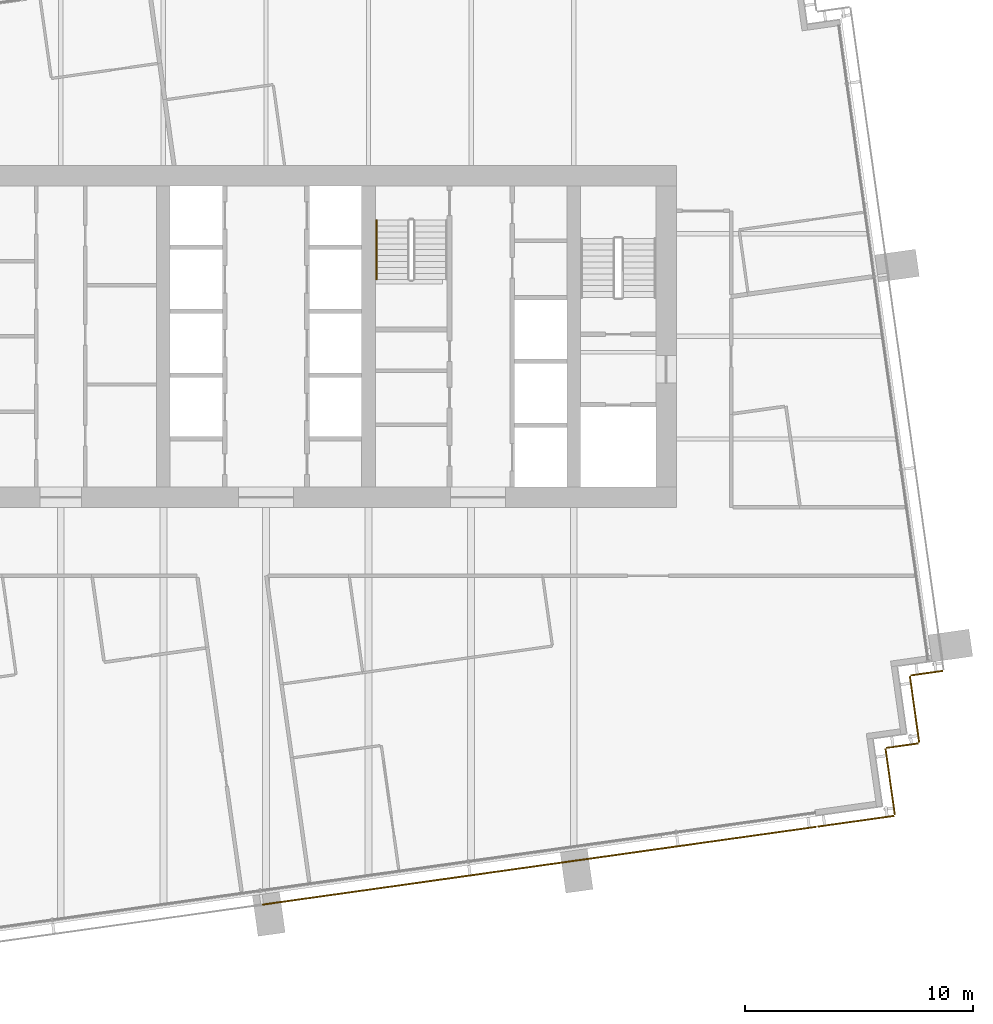
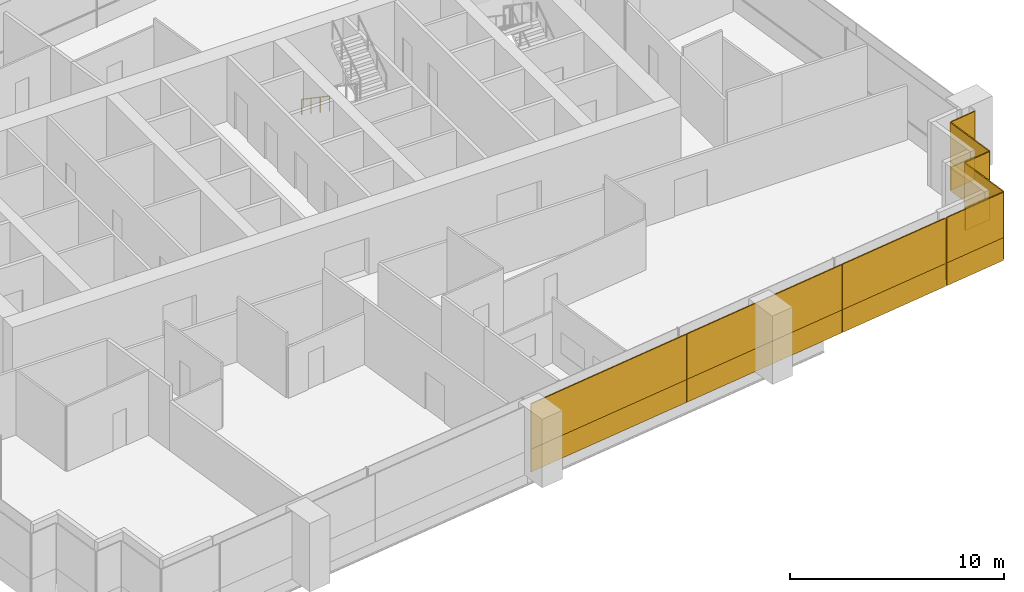
# One storey, part 15 of 18: 16 coverings, 1 railing.
"""IFC4 building model written with IfcOpenShell, lengths in metres."""

from ifc_helpers import new_model, si_unit, direction, frame, origin, origin_2d, place, context, subcontext, project, spatial, rectangle, extrude, material, layer, layer_set, type_object, element, save


model = new_model("IFC4")

# Units and contexts
model_context = context("Model", 3, precision=1e-05, world=origin(), true_north=direction((0.0, 1.0)))
body_context = subcontext(model_context, "Body", "Model", "MODEL_VIEW")
ifc_project = project(units=[si_unit("LENGTHUNIT", "METRE"), si_unit("AREAUNIT", "SQUARE_METRE"), si_unit("VOLUMEUNIT", "CUBIC_METRE"), si_unit("PLANEANGLEUNIT", "RADIAN"), si_unit("MASSUNIT", "GRAM", prefix="KILO")], contexts=[model_context])

# Site, building, storey
site_placement = place(None, origin())
site = spatial("IfcSite", under=ifc_project, at=site_placement, CompositionType="ELEMENT")
building_placement = place(site_placement, origin())
building = spatial("IfcBuilding", under=site, at=building_placement, Name="Rattan Terrace Tower", CompositionType="ELEMENT")
storey_placement = place(building_placement, frame((0.0, 0.0, 176.300048828125)))
storey = spatial("IfcBuildingStorey", under=building, at=storey_placement, Name="L40", CompositionType="ELEMENT", Elevation=176.300048828125)

# Railing
ifc_material_1 = material(Name="Powder-coated steel handrail", Category="steel")
railing_type = type_object("IfcRailingType", Name="Core stair handrail", PredefinedType="HANDRAIL", material=ifc_material_1)
railing_placement = place(storey_placement, frame((4.85009765625, 5.10009765625, 0.17724609375)))
element("IfcRailing", 1, at=railing_placement, inside=storey, type_object=railing_type, Name="L40 S3 stair handrail 1", PredefinedType="HANDRAIL", context=body_context, shape_type="SweptSolid", body=[
    extrude(rectangle(XDim=0.048095703125, YDim=0.048095703125, at=origin_2d()), frame((0.0, 0.0, 0.8759765625), z_axis=(0.0, -0.826240473404, 0.563317565952), x_axis=(1.0, 0.0, 0.0)), (0.0, 0.0, 1.0), 3.14697265625),
    extrude(rectangle(XDim=0.0419921875, YDim=0.0419921875, at=origin_2d()), origin(), (0.0, 0.0, 1.0), 0.851806640625),
    extrude(rectangle(XDim=0.0419921875, YDim=0.0419921875, at=origin_2d()), frame((0.0, -0.86669921875, 0.5908203125)), (0.0, 0.0, 1.0), 0.851806640625),
    extrude(rectangle(XDim=0.0419921875, YDim=0.0419921875, at=origin_2d()), frame((0.0, -1.7333984375, 1.181884765625)), (0.0, 0.0, 1.0), 0.851806640625),
    extrude(rectangle(XDim=0.0419921875, YDim=0.0419921875, at=origin_2d()), frame((0.0, -2.60009765625, 1.772705078125)), (0.0, 0.0, 1.0), 0.851806640625),
])

# Coverings
ifc_material_2 = material(Name="Solid terracotta", Category="masonry")
ifc_layer_1 = layer(ifc_material_2, 0.06005859375)
ifc_layer_set_1 = layer_set([ifc_layer_1], Name="Facade Terracotta Band Panel")
covering_type_1 = type_object("IfcCoveringType", Name="Facade Terracotta Band Panel", PredefinedType="CLADDING", material=ifc_layer_set_1)
covering_1_placement = place(storey_placement, frame((25.8798828125, -21.266357421875, -0.18994140625), z_axis=(0.0, 0.0, 1.0), x_axis=(0.990247240581, 0.139321220646, 0.0)))
element("IfcCovering", 2, at=covering_1_placement, inside=storey, type_object=covering_type_1, Name="OUTER SKIN panel L40-1A", PredefinedType="CLADDING", context=body_context, shape_type="SweptSolid", body=[
    extrude(rectangle(XDim=3.370361328125, YDim=0.06005859375, at=origin_2d()), origin(), (0.0, 0.0, 1.0), 1.300048828125),
])
covering_2_placement = place(storey_placement, frame((27.37939453125, -19.54052734375, -0.18994140625), z_axis=(0.0, 0.0, 1.0), x_axis=(-0.139321220646, 0.990247240581, 0.0)))
element("IfcCovering", 3, at=covering_2_placement, inside=storey, type_object=covering_type_1, Name="OUTER SKIN panel L40-2A", PredefinedType="CLADDING", context=body_context, shape_type="SweptSolid", body=[
    extrude(rectangle(XDim=2.919921875, YDim=0.06005859375, at=origin_2d()), origin(), (0.0, 0.0, 1.0), 1.300048828125),
])
covering_3_placement = place(storey_placement, frame((27.913330078125, -17.951171875, -0.18994140625), z_axis=(0.0, 0.0, 1.0), x_axis=(0.990345406709, 0.138621698915, 0.0)))
element("IfcCovering", 4, at=covering_3_placement, inside=storey, type_object=covering_type_1, Name="OUTER SKIN panel L40-3A", PredefinedType="CLADDING", context=body_context, shape_type="SweptSolid", body=[
    extrude(rectangle(XDim=1.42041015625, YDim=0.06005859375, at=origin_2d()), origin(), (0.0, 0.0, 1.0), 1.300048828125),
])
covering_4_placement = place(storey_placement, frame((28.447265625, -16.361572265625, -0.18994140625), z_axis=(0.0, 0.0, 1.0), x_axis=(-0.139321220646, 0.990247240581, 0.0)))
element("IfcCovering", 5, at=covering_4_placement, inside=storey, type_object=covering_type_1, Name="OUTER SKIN panel L40-4A", PredefinedType="CLADDING", context=body_context, shape_type="SweptSolid", body=[
    extrude(rectangle(XDim=2.920654296875, YDim=0.06005859375, at=origin_2d()), origin(), (0.0, 0.0, 1.0), 1.300048828125),
])
covering_5_placement = place(storey_placement, frame((28.981201171875, -14.771484375, -0.18994140625), z_axis=(0.0, 0.0, 1.0), x_axis=(0.99025370695, 0.139275252184, 0.0)))
element("IfcCovering", 6, at=covering_5_placement, inside=storey, type_object=covering_type_1, Name="OUTER SKIN panel L40-5A", PredefinedType="CLADDING", context=body_context, shape_type="SweptSolid", body=[
    extrude(rectangle(XDim=1.420654296875, YDim=0.06005859375, at=origin_2d()), origin(), (0.0, 0.0, 1.0), 1.300048828125),
])
for number, where, z_axis, x_axis, name in (
    (7, (4.39794921875, -24.285400390625, -0.18994140625), (0.0, 0.0, 1.0), (0.990269702686, 0.139161474347, 0.0), "OUTER SKIN panel L40-36A"),
    (8, (13.521484375, -23.003173828125, -0.18994140625), (0.0, 0.0, 1.0), (0.990269702686, 0.139161474347, 0.0), "OUTER SKIN panel L40-37A"),
):
    element("IfcCovering", number, at=place(storey_placement, frame(where, z_axis=z_axis, x_axis=x_axis)), inside=storey, type_object=covering_type_1, Name=name, PredefinedType="CLADDING", context=body_context, shape_type="SweptSolid", body=[
        extrude(rectangle(XDim=9.193115234375, YDim=0.06005859375, at=origin_2d()), origin(), (0.0, 0.0, 1.0), 1.300048828125),
    ])
covering_6_placement = place(storey_placement, frame((21.112548828125, -21.9365234375, -0.18994140625), z_axis=(0.0, 0.0, 1.0), x_axis=(0.990269702686, 0.139161474347, 0.0)))
element("IfcCovering", 9, at=covering_6_placement, inside=storey, type_object=covering_type_1, Name="OUTER SKIN panel L40-38A", PredefinedType="CLADDING", context=body_context, shape_type="SweptSolid", body=[
    extrude(rectangle(XDim=6.098388671875, YDim=0.06005859375, at=origin_2d()), origin(), (0.0, 0.0, 1.0), 1.300048828125),
])
ifc_material_3 = material(Name="Perforated terracotta", Category="masonry")
ifc_layer_2 = layer(ifc_material_3, 0.06005859375)
ifc_layer_set_2 = layer_set([ifc_layer_2], Name="Facade Terracotta Screen Panel")
covering_type_2 = type_object("IfcCoveringType", Name="Facade Terracotta Screen Panel", PredefinedType="CLADDING", material=ifc_layer_set_2)
covering_7_placement = place(storey_placement, frame((25.8798828125, -21.266357421875, 1.10986328125), z_axis=(0.0, 0.0, 1.0), x_axis=(0.990247240581, 0.139321220646, 0.0)))
element("IfcCovering", 10, at=covering_7_placement, inside=storey, type_object=covering_type_2, Name="OUTER SKIN panel L40-1B", PredefinedType="CLADDING", context=body_context, shape_type="SweptSolid", body=[
    extrude(rectangle(XDim=3.370361328125, YDim=0.06005859375, at=origin_2d()), origin(), (0.0, 0.0, 1.0), 2.580078125),
])
covering_8_placement = place(storey_placement, frame((27.37939453125, -19.54052734375, 1.10986328125), z_axis=(0.0, 0.0, 1.0), x_axis=(-0.139321220646, 0.990247240581, 0.0)))
element("IfcCovering", 11, at=covering_8_placement, inside=storey, type_object=covering_type_2, Name="OUTER SKIN panel L40-2B", PredefinedType="CLADDING", context=body_context, shape_type="SweptSolid", body=[
    extrude(rectangle(XDim=2.919921875, YDim=0.06005859375, at=origin_2d()), origin(), (0.0, 0.0, 1.0), 2.580078125),
])
covering_9_placement = place(storey_placement, frame((27.913330078125, -17.951171875, 1.10986328125), z_axis=(0.0, 0.0, 1.0), x_axis=(0.990345406709, 0.138621698915, 0.0)))
element("IfcCovering", 12, at=covering_9_placement, inside=storey, type_object=covering_type_2, Name="OUTER SKIN panel L40-3B", PredefinedType="CLADDING", context=body_context, shape_type="SweptSolid", body=[
    extrude(rectangle(XDim=1.42041015625, YDim=0.06005859375, at=origin_2d()), origin(), (0.0, 0.0, 1.0), 2.580078125),
])
covering_10_placement = place(storey_placement, frame((28.447265625, -16.361572265625, 1.10986328125), z_axis=(0.0, 0.0, 1.0), x_axis=(-0.139321220646, 0.990247240581, 0.0)))
element("IfcCovering", 13, at=covering_10_placement, inside=storey, type_object=covering_type_2, Name="OUTER SKIN panel L40-4B", PredefinedType="CLADDING", context=body_context, shape_type="SweptSolid", body=[
    extrude(rectangle(XDim=2.920654296875, YDim=0.06005859375, at=origin_2d()), origin(), (0.0, 0.0, 1.0), 2.580078125),
])
covering_11_placement = place(storey_placement, frame((28.981201171875, -14.771484375, 1.10986328125), z_axis=(0.0, 0.0, 1.0), x_axis=(0.99025370695, 0.139275252184, 0.0)))
element("IfcCovering", 14, at=covering_11_placement, inside=storey, type_object=covering_type_2, Name="OUTER SKIN panel L40-5B", PredefinedType="CLADDING", context=body_context, shape_type="SweptSolid", body=[
    extrude(rectangle(XDim=1.420654296875, YDim=0.06005859375, at=origin_2d()), origin(), (0.0, 0.0, 1.0), 2.580078125),
])
for number, where, z_axis, x_axis, name in (
    (15, (4.39794921875, -24.285400390625, 1.10986328125), (0.0, 0.0, 1.0), (0.990269702686, 0.139161474347, 0.0), "OUTER SKIN panel L40-36B"),
    (16, (13.521484375, -23.003173828125, 1.10986328125), (0.0, 0.0, 1.0), (0.990269702686, 0.139161474347, 0.0), "OUTER SKIN panel L40-37B"),
):
    element("IfcCovering", number, at=place(storey_placement, frame(where, z_axis=z_axis, x_axis=x_axis)), inside=storey, type_object=covering_type_2, Name=name, PredefinedType="CLADDING", context=body_context, shape_type="SweptSolid", body=[
        extrude(rectangle(XDim=9.193115234375, YDim=0.06005859375, at=origin_2d()), origin(), (0.0, 0.0, 1.0), 2.580078125),
    ])
covering_12_placement = place(storey_placement, frame((21.112548828125, -21.9365234375, 1.10986328125), z_axis=(0.0, 0.0, 1.0), x_axis=(0.990269702686, 0.139161474347, 0.0)))
element("IfcCovering", 17, at=covering_12_placement, inside=storey, type_object=covering_type_2, Name="OUTER SKIN panel L40-38B", PredefinedType="CLADDING", context=body_context, shape_type="SweptSolid", body=[
    extrude(rectangle(XDim=6.098388671875, YDim=0.06005859375, at=origin_2d()), origin(), (0.0, 0.0, 1.0), 2.580078125),
])

save(model, "model.ifc")
